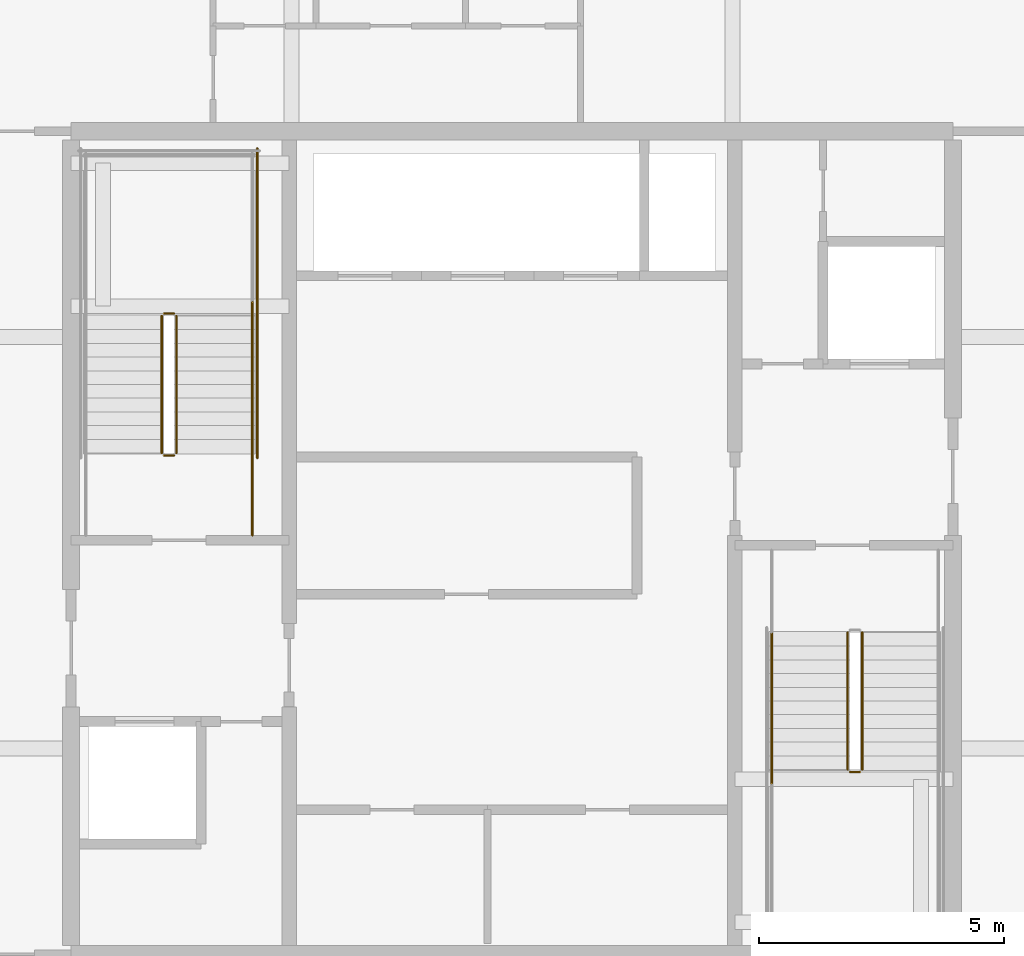
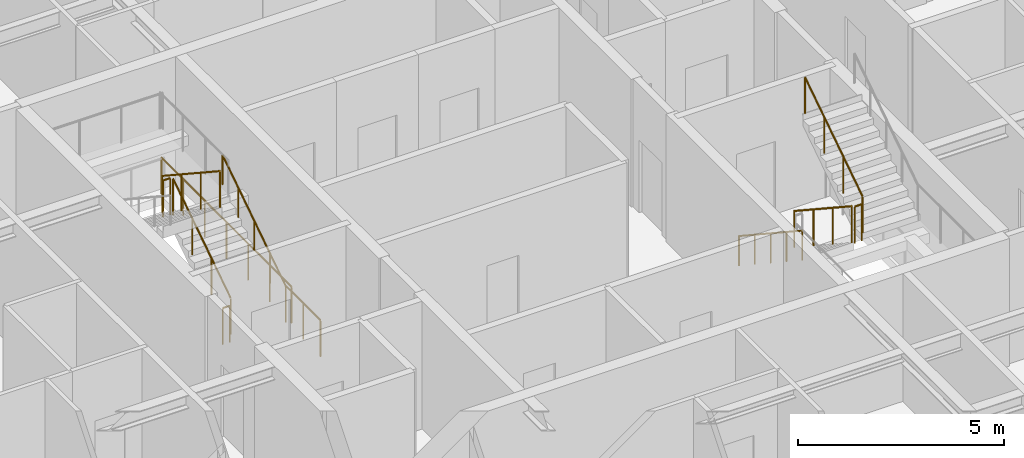
# One storey, part 39 of 42: 11 railings.
"""IFC4 building model written with IfcOpenShell, lengths in metres."""

from ifc_helpers import new_model, si_unit, direction, frame, origin, origin_2d, place, context, subcontext, project, spatial, circle, extrude, material, type_object, element, save


model = new_model("IFC4")

# Units and contexts
model_context = context("Model", 3, precision=1e-05, world=origin(), true_north=direction((0.0, 1.0)))
body_context = subcontext(model_context, "Body", "Model", "MODEL_VIEW")
ifc_project = project(units=[si_unit("LENGTHUNIT", "METRE"), si_unit("AREAUNIT", "SQUARE_METRE"), si_unit("VOLUMEUNIT", "CUBIC_METRE"), si_unit("PLANEANGLEUNIT", "RADIAN"), si_unit("MASSUNIT", "GRAM", prefix="KILO")], contexts=[model_context])

# Site, building, storey
site_placement = place(None, origin())
site = spatial("IfcSite", under=ifc_project, at=site_placement, CompositionType="ELEMENT")
building_placement = place(site_placement, origin())
building = spatial("IfcBuilding", under=site, at=building_placement, Name="Serunith Strait Residences", CompositionType="ELEMENT")
storey_placement = place(building_placement, frame((0.0, 0.0, 309.64990234375)))
storey = spatial("IfcBuildingStorey", under=building, at=storey_placement, Name="L77", CompositionType="ELEMENT", Elevation=309.64990234375)

# Railings
ifc_material = material(Name="Brushed stainless steel 316L", Category="steel")
railing_type_1 = type_object("IfcRailingType", Name="RLG-STAIR-GUARD", PredefinedType="BALUSTRADE", material=ifc_material)
railing_1_placement = place(storey_placement, frame((25.550048828125, 27.030029296875, 0.18408203125)))
element("IfcRailing", 1, at=railing_1_placement, inside=storey, type_object=railing_type_1, Name="L77 ST-1 stair guard 1", PredefinedType="BALUSTRADE", context=body_context, shape_type="SweptSolid", body=[
    extrude(circle(Radius=0.02392578125, at=origin_2d()), frame((0.0, 0.001708984375, 1.0771484375), z_axis=(0.0, 0.83556406348, 0.549393024911), x_axis=(-1.0, 0.0, 0.0)), (0.0, 0.0, 1.0), 3.34716796875),
    extrude(circle(Radius=0.02099609375, at=origin_2d()), origin(), (0.0, 0.0, 1.0), 1.050048828125),
    extrude(circle(Radius=0.02099609375, at=origin_2d()), frame((0.0, 0.933349609375, 0.61376953125)), (0.0, 0.0, 1.0), 1.050048828125),
    extrude(circle(Radius=0.02099609375, at=origin_2d()), frame((0.0, 1.86669921875, 1.227294921875)), (0.0, 0.0, 1.0), 1.050048828125),
    extrude(circle(Radius=0.02099609375, at=origin_2d()), frame((0.0, 2.800048828125, 1.841064453125)), (0.0, 0.0, 1.0), 1.050048828125),
])
railing_2_placement = place(storey_placement, frame((25.5, 29.8798828125, 2.025146484375)))
element("IfcRailing", 2, at=railing_2_placement, inside=storey, type_object=railing_type_1, Name="L77 ST-1 stair guard 2", PredefinedType="BALUSTRADE", context=body_context, shape_type="SweptSolid", body=[
    extrude(circle(Radius=0.02392578125, at=origin_2d()), frame((-0.001953125, 0.0, 1.076171875), z_axis=(-1.0, 0.0, 0.0), x_axis=(0.0, -1.0, 0.0)), (0.0, 0.0, 1.0), 0.196044921875),
    extrude(circle(Radius=0.02099609375, at=origin_2d()), origin(), (0.0, 0.0, 1.0), 1.050048828125),
    extrude(circle(Radius=0.02099609375, at=origin_2d()), frame((-0.199951171875, 0.0, 0.0)), (0.0, 0.0, 1.0), 1.050048828125),
])
railing_3_placement = place(storey_placement, frame((25.25, 29.830078125, 2.209228515625)))
element("IfcRailing", 3, at=railing_3_placement, inside=storey, type_object=railing_type_1, Name="L77 ST-1 stair guard 6", PredefinedType="BALUSTRADE", context=body_context, shape_type="SweptSolid", body=[
    extrude(circle(Radius=0.02392578125, at=origin_2d()), frame((0.0, -0.001708984375, 1.0771484375), z_axis=(0.0, -0.835597507184, 0.549342157483), x_axis=(1.0, 0.0, 0.0)), (0.0, 0.0, 1.0), 3.346923828125),
    extrude(circle(Radius=0.02099609375, at=origin_2d()), origin(), (0.0, 0.0, 1.0), 1.050048828125),
    extrude(circle(Radius=0.02099609375, at=origin_2d()), frame((0.0, -0.933349609375, 0.613525390625)), (0.0, 0.0, 1.0), 1.050048828125),
    extrude(circle(Radius=0.02099609375, at=origin_2d()), frame((0.0, -1.86669921875, 1.227294921875)), (0.0, 0.0, 1.0), 1.050048828125),
    extrude(circle(Radius=0.02099609375, at=origin_2d()), frame((0.0, -2.800048828125, 1.8408203125)), (0.0, 0.0, 1.0), 1.050048828125),
])
railing_4_placement = place(storey_placement, frame((25.5, 26.97998046875, 0.0)))
element("IfcRailing", 4, at=railing_4_placement, inside=storey, type_object=railing_type_1, Name="L77 ST-1 stair guard 7", PredefinedType="BALUSTRADE", context=body_context, shape_type="SweptSolid", body=[
    extrude(circle(Radius=0.02392578125, at=origin_2d()), frame((-0.001953125, 0.0, 1.076171875), z_axis=(-1.0, 0.0, 0.0), x_axis=(0.0, -1.0, 0.0)), (0.0, 0.0, 1.0), 0.196044921875),
    extrude(circle(Radius=0.02099609375, at=origin_2d()), origin(), (0.0, 0.0, 1.0), 1.050048828125),
    extrude(circle(Radius=0.02099609375, at=origin_2d()), frame((-0.199951171875, 0.0, 0.0)), (0.0, 0.0, 1.0), 1.050048828125),
])
railing_5_placement = place(storey_placement, frame((27.10009765625, 25.35009765625, 0.0)))
element("IfcRailing", 5, at=railing_5_placement, inside=storey, type_object=railing_type_1, Name="L77 ST-1 stair guard 8", PredefinedType="BALUSTRADE", context=body_context, shape_type="SweptSolid", body=[
    extrude(circle(Radius=0.02392578125, at=origin_2d()), frame((0.0, 0.001953125, 1.076171875), z_axis=(0.0, 1.0, 0.0), x_axis=(-1.0, 0.0, 0.0)), (0.0, 0.0, 1.0), 1.676025390625),
    extrude(circle(Radius=0.02099609375, at=origin_2d()), origin(), (0.0, 0.0, 1.0), 1.050048828125),
    extrude(circle(Radius=0.02099609375, at=origin_2d()), frame((0.0, 0.83984375, 0.0)), (0.0, 0.0, 1.0), 1.050048828125),
    extrude(circle(Radius=0.02099609375, at=origin_2d()), frame((0.0, 1.679931640625, 0.0)), (0.0, 0.0, 1.0), 1.050048828125),
])
railing_6_placement = place(storey_placement, frame((27.199951171875, 26.929931640625, 0.0)))
element("IfcRailing", 6, at=railing_6_placement, inside=storey, type_object=railing_type_1, Name="L77 ST-1 stair guard 10", PredefinedType="BALUSTRADE", context=body_context, shape_type="SweptSolid", body=[
    extrude(circle(Radius=0.02392578125, at=origin_2d()), frame((0.0, 0.001953125, 1.076171875), z_axis=(0.0, 1.0, 0.0), x_axis=(-1.0, 0.0, 0.0)), (0.0, 0.0, 1.0), 6.316162109375),
    extrude(circle(Radius=0.02099609375, at=origin_2d()), origin(), (0.0, 0.0, 1.0), 1.050048828125),
    extrude(circle(Radius=0.02099609375, at=origin_2d()), frame((0.0, 1.05322265625, 0.0)), (0.0, 0.0, 1.0), 1.050048828125),
    extrude(circle(Radius=0.02099609375, at=origin_2d()), frame((0.0, 2.106689453125, 0.0)), (0.0, 0.0, 1.0), 1.050048828125),
    extrude(circle(Radius=0.02099609375, at=origin_2d()), frame((0.0, 3.16015625, 0.0)), (0.0, 0.0, 1.0), 1.050048828125),
    extrude(circle(Radius=0.02099609375, at=origin_2d()), frame((0.0, 4.21337890625, 0.0)), (0.0, 0.0, 1.0), 1.050048828125),
    extrude(circle(Radius=0.02099609375, at=origin_2d()), frame((0.0, 5.2666015625, 0.0)), (0.0, 0.0, 1.0), 1.050048828125),
    extrude(circle(Radius=0.02099609375, at=origin_2d()), frame((0.0, 6.320068359375, 0.0)), (0.0, 0.0, 1.0), 1.050048828125),
])
railing_7_placement = place(storey_placement, frame((39.25, 23.3701171875, 0.18408203125)))
element("IfcRailing", 7, at=railing_7_placement, inside=storey, type_object=railing_type_1, Name="L77 ST-2 stair guard 1", PredefinedType="BALUSTRADE", context=body_context, shape_type="SweptSolid", body=[
    extrude(circle(Radius=0.02392578125, at=origin_2d()), frame((0.0, -0.001708984375, 1.0771484375), z_axis=(0.0, -0.83556406348, 0.549393024911), x_axis=(1.0, 0.0, 0.0)), (0.0, 0.0, 1.0), 3.34716796875),
    extrude(circle(Radius=0.02099609375, at=origin_2d()), origin(), (0.0, 0.0, 1.0), 1.050048828125),
    extrude(circle(Radius=0.02099609375, at=origin_2d()), frame((0.0, -0.933349609375, 0.61376953125)), (0.0, 0.0, 1.0), 1.050048828125),
    extrude(circle(Radius=0.02099609375, at=origin_2d()), frame((0.0, -1.86669921875, 1.227294921875)), (0.0, 0.0, 1.0), 1.050048828125),
    extrude(circle(Radius=0.02099609375, at=origin_2d()), frame((0.0, -2.800048828125, 1.841064453125)), (0.0, 0.0, 1.0), 1.050048828125),
])
railing_8_placement = place(storey_placement, frame((39.300048828125, 20.52001953125, 2.025146484375)))
element("IfcRailing", 8, at=railing_8_placement, inside=storey, type_object=railing_type_1, Name="L77 ST-2 stair guard 2", PredefinedType="BALUSTRADE", context=body_context, shape_type="SweptSolid", body=[
    extrude(circle(Radius=0.02392578125, at=origin_2d()), frame((0.001953125, 0.0, 1.076171875), z_axis=(1.0, 0.0, 0.0), x_axis=(0.0, 1.0, 0.0)), (0.0, 0.0, 1.0), 0.196044921875),
    extrude(circle(Radius=0.02099609375, at=origin_2d()), origin(), (0.0, 0.0, 1.0), 1.050048828125),
    extrude(circle(Radius=0.02099609375, at=origin_2d()), frame((0.199951171875, 0.0, 0.0)), (0.0, 0.0, 1.0), 1.050048828125),
])
railing_9_placement = place(storey_placement, frame((39.550048828125, 20.570068359375, 2.209228515625)))
element("IfcRailing", 9, at=railing_9_placement, inside=storey, type_object=railing_type_1, Name="L77 ST-2 stair guard 6", PredefinedType="BALUSTRADE", context=body_context, shape_type="SweptSolid", body=[
    extrude(circle(Radius=0.02392578125, at=origin_2d()), frame((0.0, 0.001708984375, 1.0771484375), z_axis=(0.0, 0.835597507184, 0.549342157483), x_axis=(-1.0, 0.0, 0.0)), (0.0, 0.0, 1.0), 3.346923828125),
    extrude(circle(Radius=0.02099609375, at=origin_2d()), origin(), (0.0, 0.0, 1.0), 1.050048828125),
    extrude(circle(Radius=0.02099609375, at=origin_2d()), frame((0.0, 0.933349609375, 0.613525390625)), (0.0, 0.0, 1.0), 1.050048828125),
    extrude(circle(Radius=0.02099609375, at=origin_2d()), frame((0.0, 1.86669921875, 1.227294921875)), (0.0, 0.0, 1.0), 1.050048828125),
    extrude(circle(Radius=0.02099609375, at=origin_2d()), frame((0.0, 2.800048828125, 1.8408203125)), (0.0, 0.0, 1.0), 1.050048828125),
])
railing_type_2 = type_object("IfcRailingType", Name="RLG-STAIR-HR", PredefinedType="HANDRAIL", material=ifc_material)
railing_10_placement = place(storey_placement, frame((27.10009765625, 27.030029296875, 0.18408203125)))
element("IfcRailing", 10, at=railing_10_placement, inside=storey, type_object=railing_type_2, Name="L77 ST-1 stair handrail 1", PredefinedType="HANDRAIL", context=body_context, shape_type="SweptSolid", body=[
    extrude(circle(Radius=0.02392578125, at=origin_2d()), frame((0.0, 0.001708984375, 0.876953125), z_axis=(0.0, 0.83496096917, 0.550309167616), x_axis=(-1.0, 0.0, 0.0)), (0.0, 0.0, 1.0), 3.684814453125),
    extrude(circle(Radius=0.02099609375, at=origin_2d()), origin(), (0.0, 0.0, 1.0), 0.849853515625),
    extrude(circle(Radius=0.02099609375, at=origin_2d()), frame((0.0, 0.77001953125, 0.507568359375)), (0.0, 0.0, 1.0), 0.849853515625),
    extrude(circle(Radius=0.02099609375, at=origin_2d()), frame((0.0, 1.5400390625, 1.01513671875)), (0.0, 0.0, 1.0), 0.849853515625),
    extrude(circle(Radius=0.02099609375, at=origin_2d()), frame((0.0, 2.31005859375, 1.5224609375)), (0.0, 0.0, 1.0), 0.849853515625),
    extrude(circle(Radius=0.02099609375, at=origin_2d()), frame((0.0, 3.080078125, 2.030029296875)), (0.0, 0.0, 1.0), 0.849853515625),
])
railing_11_placement = place(storey_placement, frame((37.699951171875, 23.3701171875, 0.18408203125)))
element("IfcRailing", 11, at=railing_11_placement, inside=storey, type_object=railing_type_2, Name="L77 ST-2 stair handrail 1", PredefinedType="HANDRAIL", context=body_context, shape_type="SweptSolid", body=[
    extrude(circle(Radius=0.02392578125, at=origin_2d()), frame((0.0, -0.001708984375, 0.876953125), z_axis=(0.0, -0.83496096917, 0.550309167616), x_axis=(1.0, 0.0, 0.0)), (0.0, 0.0, 1.0), 3.684814453125),
    extrude(circle(Radius=0.02099609375, at=origin_2d()), origin(), (0.0, 0.0, 1.0), 0.849853515625),
    extrude(circle(Radius=0.02099609375, at=origin_2d()), frame((0.0, -0.77001953125, 0.507568359375)), (0.0, 0.0, 1.0), 0.849853515625),
    extrude(circle(Radius=0.02099609375, at=origin_2d()), frame((0.0, -1.5400390625, 1.01513671875)), (0.0, 0.0, 1.0), 0.849853515625),
    extrude(circle(Radius=0.02099609375, at=origin_2d()), frame((0.0, -2.31005859375, 1.5224609375)), (0.0, 0.0, 1.0), 0.849853515625),
    extrude(circle(Radius=0.02099609375, at=origin_2d()), frame((0.0, -3.080078125, 2.030029296875)), (0.0, 0.0, 1.0), 0.849853515625),
])

save(model, "model.ifc")
